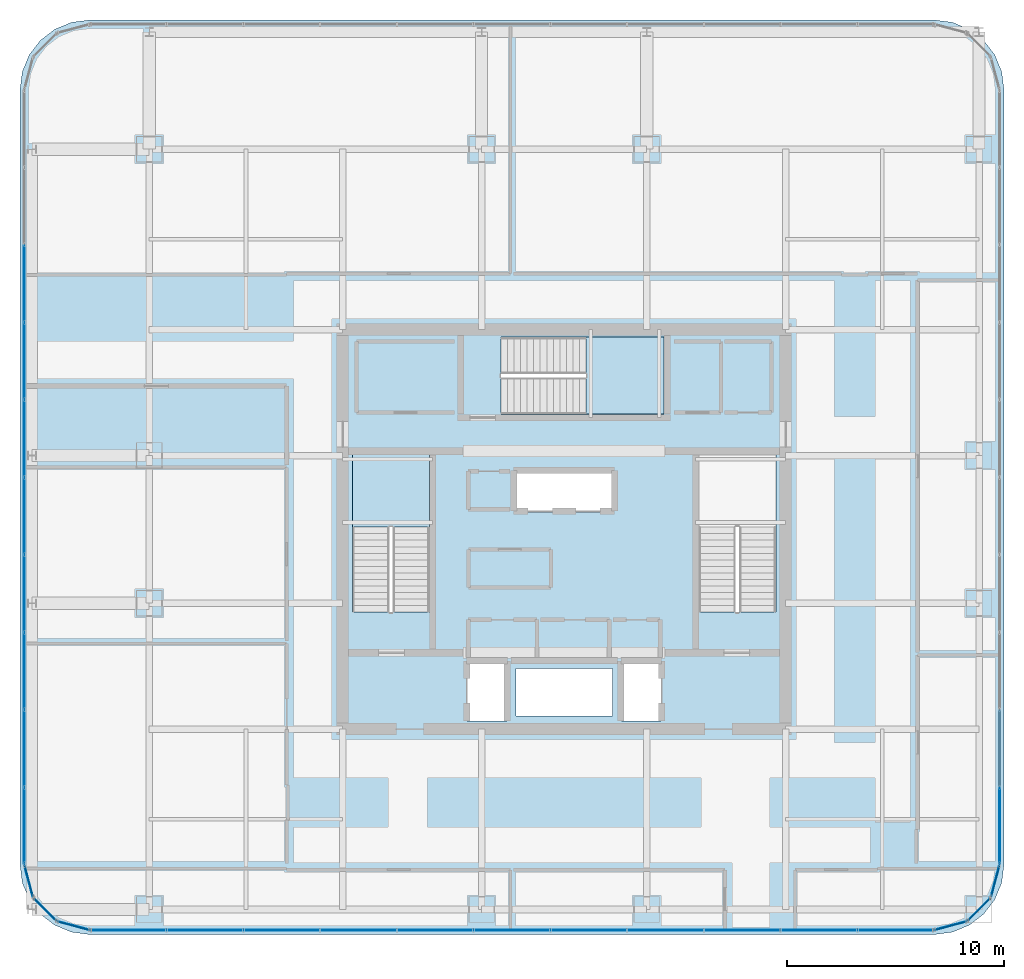
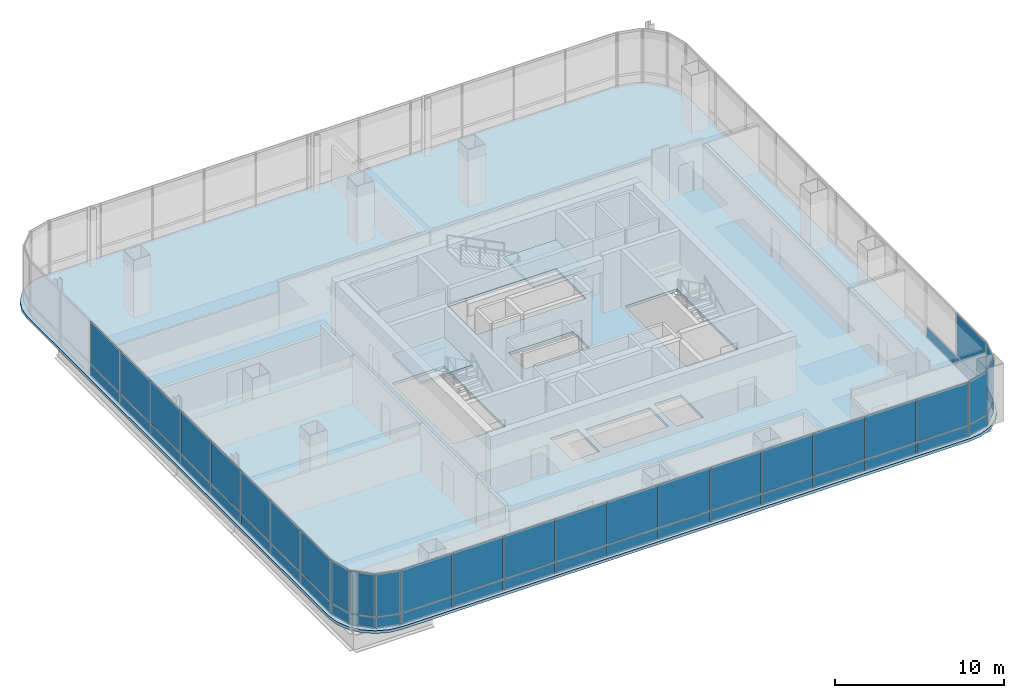
# One storey, part 32 of 41: 53 plates, 3 slabs, 11 elements without a shape of their own.
"""IFC4 building model written with IfcOpenShell, lengths in metres."""

from ifc_helpers import new_model, si_unit, direction, frame, origin, origin_2d, place, context, subcontext, project, spatial, polyline, rectangle, outline, extrude, material, layer, layer_set, type_object, element, aggregate, save


model = new_model("IFC4")

# Units and contexts
model_context = context("Model", 3, precision=1e-05, world=origin(), true_north=direction((0.0, 1.0)))
body_context = subcontext(model_context, "Body", "Model", "MODEL_VIEW")
ifc_project = project(units=[si_unit("LENGTHUNIT", "METRE"), si_unit("AREAUNIT", "SQUARE_METRE"), si_unit("VOLUMEUNIT", "CUBIC_METRE"), si_unit("PLANEANGLEUNIT", "RADIAN"), si_unit("MASSUNIT", "GRAM", prefix="KILO")], contexts=[model_context])

# Site, building, storey
site_placement = place(None, origin())
site = spatial("IfcSite", under=ifc_project, at=site_placement, CompositionType="ELEMENT")
building_placement = place(site_placement, origin())
building = spatial("IfcBuilding", under=site, at=building_placement, Name="Punatoya Terracotta Tower", CompositionType="ELEMENT")
storey_placement = place(building_placement, frame((0.0, 0.0, 309.0)))
storey = spatial("IfcBuildingStorey", under=building, at=storey_placement, Name="L73", CompositionType="ELEMENT", Elevation=309.0)

# Curtain wall, plates
ifc_material_1 = material(Name="Aluminium 6063-T6 + Double Low-E Glass", Category="aluminium")
curtain_wall_type = type_object("IfcCurtainWallType", Name="CW-M3", PredefinedType="NOTDEFINED", material=ifc_material_1)
curtain_wall_1_placement = place(storey_placement, origin())
curtain_wall_1 = element("IfcCurtainWall", 1, at=curtain_wall_1_placement, inside=storey, type_object=curtain_wall_type, Name="L73 Curtain Wall CW-L73-S01-1", PredefinedType="NOTDEFINED")
ifc_material_2 = material(Name="Double Low-E Acoustic Vision Glass", Category="glass")
ifc_layer_1 = layer(ifc_material_2, 0.031982421875)
ifc_layer_set_1 = layer_set([ifc_layer_1], Name="Double Low-E Acoustic Vision Glass")
plate_type_1 = type_object("IfcPlateType", Name="PLT-GLZ-32", PredefinedType="CURTAIN_PANEL", material=ifc_layer_set_1)
plate_1_placement = place(storey_placement, frame((-20.06982421875, -18.449951171875, 0.89013671875), z_axis=(0.0, 0.0, 1.0), x_axis=(1.0, 0.0, 0.0)))
plate_1 = element("IfcPlate", 2, at=plate_1_placement, type_object=plate_type_1, Name="CW-L73-S01-1 Vision Glass Panel 1", PredefinedType="CURTAIN_PANEL", context=body_context, shape_type="SweptSolid", body=[
    extrude(rectangle(XDim=3.448974609375, YDim=0.031982421875, at=origin_2d()), origin(), (0.0, 0.0, 1.0), 3.070068359375),
])
plate_2_placement = place(storey_placement, frame((-16.535888671875, -18.449951171875, 0.89013671875), z_axis=(0.0, 0.0, 1.0), x_axis=(1.0, 0.0, 0.0)))
plate_2 = element("IfcPlate", 3, at=plate_2_placement, type_object=plate_type_1, Name="CW-L73-S01-1 Vision Glass Panel 2", PredefinedType="CURTAIN_PANEL", context=body_context, shape_type="SweptSolid", body=[
    extrude(rectangle(XDim=3.448974609375, YDim=0.031982421875, at=origin_2d()), origin(), (0.0, 0.0, 1.0), 3.070068359375),
])
plate_3_placement = place(storey_placement, frame((-13.001953125, -18.449951171875, 0.89013671875), z_axis=(0.0, 0.0, 1.0), x_axis=(1.0, 0.0, 0.0)))
plate_3 = element("IfcPlate", 4, at=plate_3_placement, type_object=plate_type_1, Name="CW-L73-S01-1 Vision Glass Panel 3", PredefinedType="CURTAIN_PANEL", context=body_context, shape_type="SweptSolid", body=[
    extrude(rectangle(XDim=3.448974609375, YDim=0.031982421875, at=origin_2d()), origin(), (0.0, 0.0, 1.0), 3.070068359375),
])
plate_4_placement = place(storey_placement, frame((-9.468017578125, -18.449951171875, 0.89013671875), z_axis=(0.0, 0.0, 1.0), x_axis=(1.0, 0.0, 0.0)))
plate_4 = element("IfcPlate", 5, at=plate_4_placement, type_object=plate_type_1, Name="CW-L73-S01-1 Vision Glass Panel 4", PredefinedType="CURTAIN_PANEL", context=body_context, shape_type="SweptSolid", body=[
    extrude(rectangle(XDim=3.448974609375, YDim=0.031982421875, at=origin_2d()), origin(), (0.0, 0.0, 1.0), 3.070068359375),
])
plate_5_placement = place(storey_placement, frame((-5.93408203125, -18.449951171875, 0.89013671875), z_axis=(0.0, 0.0, 1.0), x_axis=(1.0, 0.0, 0.0)))
plate_5 = element("IfcPlate", 6, at=plate_5_placement, type_object=plate_type_1, Name="CW-L73-S01-1 Vision Glass Panel 5", PredefinedType="CURTAIN_PANEL", context=body_context, shape_type="SweptSolid", body=[
    extrude(rectangle(XDim=3.448974609375, YDim=0.031982421875, at=origin_2d()), origin(), (0.0, 0.0, 1.0), 3.070068359375),
])
plate_6_placement = place(storey_placement, frame((-2.39990234375, -18.449951171875, 0.89013671875), z_axis=(0.0, 0.0, 1.0), x_axis=(1.0, 0.0, 0.0)))
plate_6 = element("IfcPlate", 7, at=plate_6_placement, type_object=plate_type_1, Name="CW-L73-S01-1 Vision Glass Panel 6", PredefinedType="CURTAIN_PANEL", context=body_context, shape_type="SweptSolid", body=[
    extrude(rectangle(XDim=3.448974609375, YDim=0.031982421875, at=origin_2d()), origin(), (0.0, 0.0, 1.0), 3.070068359375),
])
plate_7_placement = place(storey_placement, frame((1.134033203125, -18.449951171875, 0.89013671875), z_axis=(0.0, 0.0, 1.0), x_axis=(1.0, 0.0, 0.0)))
plate_7 = element("IfcPlate", 8, at=plate_7_placement, type_object=plate_type_1, Name="CW-L73-S01-1 Vision Glass Panel 7", PredefinedType="CURTAIN_PANEL", context=body_context, shape_type="SweptSolid", body=[
    extrude(rectangle(XDim=3.448974609375, YDim=0.031982421875, at=origin_2d()), origin(), (0.0, 0.0, 1.0), 3.070068359375),
])
plate_8_placement = place(storey_placement, frame((4.66796875, -18.449951171875, 0.89013671875), z_axis=(0.0, 0.0, 1.0), x_axis=(1.0, 0.0, 0.0)))
plate_8 = element("IfcPlate", 9, at=plate_8_placement, type_object=plate_type_1, Name="CW-L73-S01-1 Vision Glass Panel 8", PredefinedType="CURTAIN_PANEL", context=body_context, shape_type="SweptSolid", body=[
    extrude(rectangle(XDim=3.448974609375, YDim=0.031982421875, at=origin_2d()), origin(), (0.0, 0.0, 1.0), 3.070068359375),
])
plate_9_placement = place(storey_placement, frame((8.201904296875, -18.449951171875, 0.89013671875), z_axis=(0.0, 0.0, 1.0), x_axis=(1.0, 0.0, 0.0)))
plate_9 = element("IfcPlate", 10, at=plate_9_placement, type_object=plate_type_1, Name="CW-L73-S01-1 Vision Glass Panel 9", PredefinedType="CURTAIN_PANEL", context=body_context, shape_type="SweptSolid", body=[
    extrude(rectangle(XDim=3.448974609375, YDim=0.031982421875, at=origin_2d()), origin(), (0.0, 0.0, 1.0), 3.070068359375),
])
plate_10_placement = place(storey_placement, frame((11.73583984375, -18.449951171875, 0.89013671875), z_axis=(0.0, 0.0, 1.0), x_axis=(1.0, 0.0, 0.0)))
plate_10 = element("IfcPlate", 11, at=plate_10_placement, type_object=plate_type_1, Name="CW-L73-S01-1 Vision Glass Panel 10", PredefinedType="CURTAIN_PANEL", context=body_context, shape_type="SweptSolid", body=[
    extrude(rectangle(XDim=3.448974609375, YDim=0.031982421875, at=origin_2d()), origin(), (0.0, 0.0, 1.0), 3.070068359375),
])
plate_11_placement = place(storey_placement, frame((15.27001953125, -18.449951171875, 0.89013671875), z_axis=(0.0, 0.0, 1.0), x_axis=(1.0, 0.0, 0.0)))
plate_11 = element("IfcPlate", 12, at=plate_11_placement, type_object=plate_type_1, Name="CW-L73-S01-1 Vision Glass Panel 11", PredefinedType="CURTAIN_PANEL", context=body_context, shape_type="SweptSolid", body=[
    extrude(rectangle(XDim=3.448974609375, YDim=0.031982421875, at=origin_2d()), origin(), (0.0, 0.0, 1.0), 3.070068359375),
])

# Curtain wall, plate
curtain_wall_2_placement = place(storey_placement, origin())
curtain_wall_2 = element("IfcCurtainWall", 13, at=curtain_wall_2_placement, inside=storey, type_object=curtain_wall_type, Name="L73 Curtain Wall CW-L73-CRN02", PredefinedType="NOTDEFINED")
plate_12_placement = place(storey_placement, frame((17.79296875, -18.248291015625, 0.89013671875), z_axis=(0.0, 0.0, 1.0), x_axis=(0.966213877436, 0.257741620719, 0.0)))
plate_12 = element("IfcPlate", 14, at=plate_12_placement, type_object=plate_type_1, Name="CW-L73-CRN02 Vision Glass Panel 1", PredefinedType="CURTAIN_PANEL", context=body_context, shape_type="SweptSolid", body=[
    extrude(rectangle(XDim=1.47998046875, YDim=0.031982421875, at=origin_2d()), origin(), (0.0, 0.0, 1.0), 3.070068359375),
])

curtain_wall_3_placement = place(storey_placement, origin())
curtain_wall_3 = element("IfcCurtainWall", 15, at=curtain_wall_3_placement, inside=storey, type_object=curtain_wall_type, Name="L73 Curtain Wall CW-L73-CRN03", PredefinedType="NOTDEFINED")
plate_13_placement = place(storey_placement, frame((19.097900390625, -17.497802734375, 0.89013671875), z_axis=(0.0, 0.0, 1.0), x_axis=(0.707106781187, 0.707106781187, 0.0)))
plate_13 = element("IfcPlate", 16, at=plate_13_placement, type_object=plate_type_1, Name="CW-L73-CRN03 Vision Glass Panel 1", PredefinedType="CURTAIN_PANEL", context=body_context, shape_type="SweptSolid", body=[
    extrude(rectangle(XDim=1.467041015625, YDim=0.031982421875, at=origin_2d()), origin(), (0.0, 0.0, 1.0), 3.070068359375),
])

curtain_wall_4_placement = place(storey_placement, origin())
curtain_wall_4 = element("IfcCurtainWall", 17, at=curtain_wall_4_placement, inside=storey, type_object=curtain_wall_type, Name="L73 Curtain Wall CW-L73-CRN04", PredefinedType="NOTDEFINED")
plate_14_placement = place(storey_placement, frame((19.848388671875, -16.193115234375, 0.89013671875), z_axis=(0.0, 0.0, 1.0), x_axis=(0.257741620719, 0.966213877436, 0.0)))
plate_14 = element("IfcPlate", 18, at=plate_14_placement, type_object=plate_type_1, Name="CW-L73-CRN04 Vision Glass Panel 1", PredefinedType="CURTAIN_PANEL", context=body_context, shape_type="SweptSolid", body=[
    extrude(rectangle(XDim=1.47998046875, YDim=0.031982421875, at=origin_2d()), origin(), (0.0, 0.0, 1.0), 3.070068359375),
])

curtain_wall_5_placement = place(storey_placement, origin())
curtain_wall_5 = element("IfcCurtainWall", 19, at=curtain_wall_5_placement, inside=storey, type_object=curtain_wall_type, Name="L73 Curtain Wall CW-L73-E05-1", PredefinedType="NOTDEFINED")
plate_15_placement = place(storey_placement, frame((20.050048828125, -13.6533203125, 0.89013671875), z_axis=(0.0, 0.0, 1.0), x_axis=(0.0, 1.0, 0.0)))
plate_15 = element("IfcPlate", 20, at=plate_15_placement, type_object=plate_type_1, Name="CW-L73-E05-1 Vision Glass Panel 1", PredefinedType="CURTAIN_PANEL", context=body_context, shape_type="SweptSolid", body=[
    extrude(rectangle(XDim=3.482421875, YDim=0.031982421875, at=origin_2d()), origin(), (0.0, 0.0, 1.0), 3.070068359375),
])

# Curtain wall, plates
curtain_wall_6_placement = place(storey_placement, origin())
curtain_wall_6 = element("IfcCurtainWall", 21, at=curtain_wall_6_placement, inside=storey, type_object=curtain_wall_type, Name="L73 Curtain Wall CW-L73-W13-1", PredefinedType="NOTDEFINED")
plate_16_placement = place(storey_placement, frame((-24.85009765625, 11.318359375, 0.89013671875), z_axis=(0.0, 0.0, 1.0), x_axis=(0.0, -1.0, 0.0)))
plate_16 = element("IfcPlate", 22, at=plate_16_placement, type_object=plate_type_1, Name="CW-L73-W13-1 Vision Glass Panel 3", PredefinedType="CURTAIN_PANEL", context=body_context, shape_type="SweptSolid", body=[
    extrude(rectangle(XDim=3.482421875, YDim=0.031982421875, at=origin_2d()), origin(), (0.0, 0.0, 1.0), 3.070068359375),
])
plate_17_placement = place(storey_placement, frame((-24.85009765625, 7.751220703125, 0.89013671875), z_axis=(0.0, 0.0, 1.0), x_axis=(0.0, -1.0, 0.0)))
plate_17 = element("IfcPlate", 23, at=plate_17_placement, type_object=plate_type_1, Name="CW-L73-W13-1 Vision Glass Panel 4", PredefinedType="CURTAIN_PANEL", context=body_context, shape_type="SweptSolid", body=[
    extrude(rectangle(XDim=3.482421875, YDim=0.031982421875, at=origin_2d()), origin(), (0.0, 0.0, 1.0), 3.070068359375),
])
plate_18_placement = place(storey_placement, frame((-24.85009765625, 4.18359375, 0.89013671875), z_axis=(0.0, 0.0, 1.0), x_axis=(0.0, -1.0, 0.0)))
plate_18 = element("IfcPlate", 24, at=plate_18_placement, type_object=plate_type_1, Name="CW-L73-W13-1 Vision Glass Panel 5", PredefinedType="CURTAIN_PANEL", context=body_context, shape_type="SweptSolid", body=[
    extrude(rectangle(XDim=3.482421875, YDim=0.031982421875, at=origin_2d()), origin(), (0.0, 0.0, 1.0), 3.070068359375),
])
plate_19_placement = place(storey_placement, frame((-24.85009765625, 0.6162109375, 0.89013671875), z_axis=(0.0, 0.0, 1.0), x_axis=(0.0, -1.0, 0.0)))
plate_19 = element("IfcPlate", 25, at=plate_19_placement, type_object=plate_type_1, Name="CW-L73-W13-1 Vision Glass Panel 6", PredefinedType="CURTAIN_PANEL", context=body_context, shape_type="SweptSolid", body=[
    extrude(rectangle(XDim=3.482421875, YDim=0.031982421875, at=origin_2d()), origin(), (0.0, 0.0, 1.0), 3.070068359375),
])
plate_20_placement = place(storey_placement, frame((-24.85009765625, -2.951171875, 0.89013671875), z_axis=(0.0, 0.0, 1.0), x_axis=(0.0, -1.0, 0.0)))
plate_20 = element("IfcPlate", 26, at=plate_20_placement, type_object=plate_type_1, Name="CW-L73-W13-1 Vision Glass Panel 7", PredefinedType="CURTAIN_PANEL", context=body_context, shape_type="SweptSolid", body=[
    extrude(rectangle(XDim=3.482421875, YDim=0.031982421875, at=origin_2d()), origin(), (0.0, 0.0, 1.0), 3.070068359375),
])
plate_21_placement = place(storey_placement, frame((-24.85009765625, -6.518310546875, 0.89013671875), z_axis=(0.0, 0.0, 1.0), x_axis=(0.0, -1.0, 0.0)))
plate_21 = element("IfcPlate", 27, at=plate_21_placement, type_object=plate_type_1, Name="CW-L73-W13-1 Vision Glass Panel 8", PredefinedType="CURTAIN_PANEL", context=body_context, shape_type="SweptSolid", body=[
    extrude(rectangle(XDim=3.482421875, YDim=0.031982421875, at=origin_2d()), origin(), (0.0, 0.0, 1.0), 3.070068359375),
])
plate_22_placement = place(storey_placement, frame((-24.85009765625, -10.085693359375, 0.89013671875), z_axis=(0.0, 0.0, 1.0), x_axis=(0.0, -1.0, 0.0)))
plate_22 = element("IfcPlate", 28, at=plate_22_placement, type_object=plate_type_1, Name="CW-L73-W13-1 Vision Glass Panel 9", PredefinedType="CURTAIN_PANEL", context=body_context, shape_type="SweptSolid", body=[
    extrude(rectangle(XDim=3.482421875, YDim=0.031982421875, at=origin_2d()), origin(), (0.0, 0.0, 1.0), 3.070068359375),
])
plate_23_placement = place(storey_placement, frame((-24.85009765625, -13.6533203125, 0.89013671875), z_axis=(0.0, 0.0, 1.0), x_axis=(0.0, -1.0, 0.0)))
plate_23 = element("IfcPlate", 29, at=plate_23_placement, type_object=plate_type_1, Name="CW-L73-W13-1 Vision Glass Panel 10", PredefinedType="CURTAIN_PANEL", context=body_context, shape_type="SweptSolid", body=[
    extrude(rectangle(XDim=3.482421875, YDim=0.031982421875, at=origin_2d()), origin(), (0.0, 0.0, 1.0), 3.070068359375),
])

# Curtain wall, plate
curtain_wall_7_placement = place(storey_placement, origin())
curtain_wall_7 = element("IfcCurtainWall", 30, at=curtain_wall_7_placement, inside=storey, type_object=curtain_wall_type, Name="L73 Curtain Wall CW-L73-CRN14", PredefinedType="NOTDEFINED")
plate_24_placement = place(storey_placement, frame((-24.648193359375, -16.193115234375, 0.89013671875), z_axis=(0.0, 0.0, 1.0), x_axis=(0.257741620719, -0.966213877436, 0.0)))
plate_24 = element("IfcPlate", 31, at=plate_24_placement, type_object=plate_type_1, Name="CW-L73-CRN14 Vision Glass Panel 1", PredefinedType="CURTAIN_PANEL", context=body_context, shape_type="SweptSolid", body=[
    extrude(rectangle(XDim=1.47998046875, YDim=0.031982421875, at=origin_2d()), origin(), (0.0, 0.0, 1.0), 3.070068359375),
])

curtain_wall_8_placement = place(storey_placement, origin())
curtain_wall_8 = element("IfcCurtainWall", 32, at=curtain_wall_8_placement, inside=storey, type_object=curtain_wall_type, Name="L73 Curtain Wall CW-L73-CRN15", PredefinedType="NOTDEFINED")
plate_25_placement = place(storey_placement, frame((-23.89794921875, -17.497802734375, 0.89013671875), z_axis=(0.0, 0.0, 1.0), x_axis=(0.707106781187, -0.707106781187, 0.0)))
plate_25 = element("IfcPlate", 33, at=plate_25_placement, type_object=plate_type_1, Name="CW-L73-CRN15 Vision Glass Panel 1", PredefinedType="CURTAIN_PANEL", context=body_context, shape_type="SweptSolid", body=[
    extrude(rectangle(XDim=1.467041015625, YDim=0.031982421875, at=origin_2d()), origin(), (0.0, 0.0, 1.0), 3.070068359375),
])

curtain_wall_9_placement = place(storey_placement, origin())
curtain_wall_9 = element("IfcCurtainWall", 34, at=curtain_wall_9_placement, inside=storey, type_object=curtain_wall_type, Name="L73 Curtain Wall CW-L73-CRN16", PredefinedType="NOTDEFINED")
plate_26_placement = place(storey_placement, frame((-22.593017578125, -18.248291015625, 0.89013671875), z_axis=(0.0, 0.0, 1.0), x_axis=(0.966213877436, -0.257741620719, 0.0)))
plate_26 = element("IfcPlate", 35, at=plate_26_placement, type_object=plate_type_1, Name="CW-L73-CRN16 Vision Glass Panel 1", PredefinedType="CURTAIN_PANEL", context=body_context, shape_type="SweptSolid", body=[
    extrude(rectangle(XDim=1.47998046875, YDim=0.031982421875, at=origin_2d()), origin(), (0.0, 0.0, 1.0), 3.070068359375),
])

# Plate
ifc_material_3 = material(Name="Insulated Terracotta-Backed Spandrel Panel", Category="masonry")
ifc_layer_2 = layer(ifc_material_3, 0.044921875)
ifc_layer_set_2 = layer_set([ifc_layer_2], Name="Insulated Terracotta-Backed Spandrel Panel")
plate_type_2 = type_object("IfcPlateType", Name="PLT-SPN-45", PredefinedType="CURTAIN_PANEL", material=ifc_layer_set_2)
plate_27_placement = place(storey_placement, frame((-20.06982421875, -18.449951171875, 0.0400390625), z_axis=(0.0, 0.0, 1.0), x_axis=(1.0, 0.0, 0.0)))
plate_27 = element("IfcPlate", 36, at=plate_27_placement, type_object=plate_type_2, Name="CW-L73-S01-1 Terracotta Spandrel Panel 1", PredefinedType="CURTAIN_PANEL", context=body_context, shape_type="SweptSolid", body=[
    extrude(rectangle(XDim=3.448974609375, YDim=0.044921875, at=origin_2d()), origin(), (0.0, 0.0, 1.0), 0.77490234375),
])

plate_28_placement = place(storey_placement, frame((-16.535888671875, -18.449951171875, 0.0400390625), z_axis=(0.0, 0.0, 1.0), x_axis=(1.0, 0.0, 0.0)))
plate_28 = element("IfcPlate", 37, at=plate_28_placement, type_object=plate_type_2, Name="CW-L73-S01-1 Terracotta Spandrel Panel 2", PredefinedType="CURTAIN_PANEL", context=body_context, shape_type="SweptSolid", body=[
    extrude(rectangle(XDim=3.448974609375, YDim=0.044921875, at=origin_2d()), origin(), (0.0, 0.0, 1.0), 0.77490234375),
])

plate_29_placement = place(storey_placement, frame((-13.001953125, -18.449951171875, 0.0400390625), z_axis=(0.0, 0.0, 1.0), x_axis=(1.0, 0.0, 0.0)))
plate_29 = element("IfcPlate", 38, at=plate_29_placement, type_object=plate_type_2, Name="CW-L73-S01-1 Terracotta Spandrel Panel 3", PredefinedType="CURTAIN_PANEL", context=body_context, shape_type="SweptSolid", body=[
    extrude(rectangle(XDim=3.448974609375, YDim=0.044921875, at=origin_2d()), origin(), (0.0, 0.0, 1.0), 0.77490234375),
])

plate_30_placement = place(storey_placement, frame((-9.468017578125, -18.449951171875, 0.0400390625), z_axis=(0.0, 0.0, 1.0), x_axis=(1.0, 0.0, 0.0)))
plate_30 = element("IfcPlate", 39, at=plate_30_placement, type_object=plate_type_2, Name="CW-L73-S01-1 Terracotta Spandrel Panel 4", PredefinedType="CURTAIN_PANEL", context=body_context, shape_type="SweptSolid", body=[
    extrude(rectangle(XDim=3.448974609375, YDim=0.044921875, at=origin_2d()), origin(), (0.0, 0.0, 1.0), 0.77490234375),
])

plate_31_placement = place(storey_placement, frame((-5.93408203125, -18.449951171875, 0.0400390625), z_axis=(0.0, 0.0, 1.0), x_axis=(1.0, 0.0, 0.0)))
plate_31 = element("IfcPlate", 40, at=plate_31_placement, type_object=plate_type_2, Name="CW-L73-S01-1 Terracotta Spandrel Panel 5", PredefinedType="CURTAIN_PANEL", context=body_context, shape_type="SweptSolid", body=[
    extrude(rectangle(XDim=3.448974609375, YDim=0.044921875, at=origin_2d()), origin(), (0.0, 0.0, 1.0), 0.77490234375),
])

plate_32_placement = place(storey_placement, frame((-2.39990234375, -18.449951171875, 0.0400390625), z_axis=(0.0, 0.0, 1.0), x_axis=(1.0, 0.0, 0.0)))
plate_32 = element("IfcPlate", 41, at=plate_32_placement, type_object=plate_type_2, Name="CW-L73-S01-1 Terracotta Spandrel Panel 6", PredefinedType="CURTAIN_PANEL", context=body_context, shape_type="SweptSolid", body=[
    extrude(rectangle(XDim=3.448974609375, YDim=0.044921875, at=origin_2d()), origin(), (0.0, 0.0, 1.0), 0.77490234375),
])

plate_33_placement = place(storey_placement, frame((1.134033203125, -18.449951171875, 0.0400390625), z_axis=(0.0, 0.0, 1.0), x_axis=(1.0, 0.0, 0.0)))
plate_33 = element("IfcPlate", 42, at=plate_33_placement, type_object=plate_type_2, Name="CW-L73-S01-1 Terracotta Spandrel Panel 7", PredefinedType="CURTAIN_PANEL", context=body_context, shape_type="SweptSolid", body=[
    extrude(rectangle(XDim=3.448974609375, YDim=0.044921875, at=origin_2d()), origin(), (0.0, 0.0, 1.0), 0.77490234375),
])

plate_34_placement = place(storey_placement, frame((4.66796875, -18.449951171875, 0.0400390625), z_axis=(0.0, 0.0, 1.0), x_axis=(1.0, 0.0, 0.0)))
plate_34 = element("IfcPlate", 43, at=plate_34_placement, type_object=plate_type_2, Name="CW-L73-S01-1 Terracotta Spandrel Panel 8", PredefinedType="CURTAIN_PANEL", context=body_context, shape_type="SweptSolid", body=[
    extrude(rectangle(XDim=3.448974609375, YDim=0.044921875, at=origin_2d()), origin(), (0.0, 0.0, 1.0), 0.77490234375),
])

plate_35_placement = place(storey_placement, frame((8.201904296875, -18.449951171875, 0.0400390625), z_axis=(0.0, 0.0, 1.0), x_axis=(1.0, 0.0, 0.0)))
plate_35 = element("IfcPlate", 44, at=plate_35_placement, type_object=plate_type_2, Name="CW-L73-S01-1 Terracotta Spandrel Panel 9", PredefinedType="CURTAIN_PANEL", context=body_context, shape_type="SweptSolid", body=[
    extrude(rectangle(XDim=3.448974609375, YDim=0.044921875, at=origin_2d()), origin(), (0.0, 0.0, 1.0), 0.77490234375),
])

plate_36_placement = place(storey_placement, frame((11.73583984375, -18.449951171875, 0.0400390625), z_axis=(0.0, 0.0, 1.0), x_axis=(1.0, 0.0, 0.0)))
plate_36 = element("IfcPlate", 45, at=plate_36_placement, type_object=plate_type_2, Name="CW-L73-S01-1 Terracotta Spandrel Panel 10", PredefinedType="CURTAIN_PANEL", context=body_context, shape_type="SweptSolid", body=[
    extrude(rectangle(XDim=3.448974609375, YDim=0.044921875, at=origin_2d()), origin(), (0.0, 0.0, 1.0), 0.77490234375),
])

plate_37_placement = place(storey_placement, frame((15.27001953125, -18.449951171875, 0.0400390625), z_axis=(0.0, 0.0, 1.0), x_axis=(1.0, 0.0, 0.0)))
plate_37 = element("IfcPlate", 46, at=plate_37_placement, type_object=plate_type_2, Name="CW-L73-S01-1 Terracotta Spandrel Panel 11", PredefinedType="CURTAIN_PANEL", context=body_context, shape_type="SweptSolid", body=[
    extrude(rectangle(XDim=3.448974609375, YDim=0.044921875, at=origin_2d()), origin(), (0.0, 0.0, 1.0), 0.77490234375),
])

aggregate(curtain_wall_1, [plate_27, plate_1, plate_28, plate_2, plate_29, plate_3, plate_30, plate_4, plate_31, plate_5, plate_32, plate_6, plate_33, plate_7, plate_34, plate_8, plate_35, plate_9, plate_36, plate_10, plate_37, plate_11])

plate_38_placement = place(storey_placement, frame((17.79296875, -18.248291015625, 0.0400390625), z_axis=(0.0, 0.0, 1.0), x_axis=(0.966213877436, 0.257741620719, 0.0)))
plate_38 = element("IfcPlate", 47, at=plate_38_placement, type_object=plate_type_2, Name="CW-L73-CRN02 Terracotta Spandrel Panel 1", PredefinedType="CURTAIN_PANEL", context=body_context, shape_type="SweptSolid", body=[
    extrude(rectangle(XDim=1.47998046875, YDim=0.044921875, at=origin_2d()), origin(), (0.0, 0.0, 1.0), 0.77490234375),
])

aggregate(curtain_wall_2, [plate_38, plate_12])

plate_39_placement = place(storey_placement, frame((19.097900390625, -17.497802734375, 0.0400390625), z_axis=(0.0, 0.0, 1.0), x_axis=(0.707106781187, 0.707106781187, 0.0)))
plate_39 = element("IfcPlate", 48, at=plate_39_placement, type_object=plate_type_2, Name="CW-L73-CRN03 Terracotta Spandrel Panel 1", PredefinedType="CURTAIN_PANEL", context=body_context, shape_type="SweptSolid", body=[
    extrude(rectangle(XDim=1.467041015625, YDim=0.044921875, at=origin_2d()), origin(), (0.0, 0.0, 1.0), 0.77490234375),
])

aggregate(curtain_wall_3, [plate_39, plate_13])

plate_40_placement = place(storey_placement, frame((19.848388671875, -16.193115234375, 0.0400390625), z_axis=(0.0, 0.0, 1.0), x_axis=(0.257741620719, 0.966213877436, 0.0)))
plate_40 = element("IfcPlate", 49, at=plate_40_placement, type_object=plate_type_2, Name="CW-L73-CRN04 Terracotta Spandrel Panel 1", PredefinedType="CURTAIN_PANEL", context=body_context, shape_type="SweptSolid", body=[
    extrude(rectangle(XDim=1.47998046875, YDim=0.044921875, at=origin_2d()), origin(), (0.0, 0.0, 1.0), 0.77490234375),
])

aggregate(curtain_wall_4, [plate_40, plate_14])

plate_41_placement = place(storey_placement, frame((20.050048828125, -13.6533203125, 0.0400390625), z_axis=(0.0, 0.0, 1.0), x_axis=(0.0, 1.0, 0.0)))
plate_41 = element("IfcPlate", 50, at=plate_41_placement, type_object=plate_type_2, Name="CW-L73-E05-1 Terracotta Spandrel Panel 1", PredefinedType="CURTAIN_PANEL", context=body_context, shape_type="SweptSolid", body=[
    extrude(rectangle(XDim=3.482421875, YDim=0.044921875, at=origin_2d()), origin(), (0.0, 0.0, 1.0), 0.77490234375),
])

plate_42_placement = place(storey_placement, frame((20.050048828125, -10.085693359375, 0.0400390625), z_axis=(0.0, 0.0, 1.0), x_axis=(0.0, 1.0, 0.0)))
plate_42 = element("IfcPlate", 51, at=plate_42_placement, type_object=plate_type_2, Name="CW-L73-E05-1 Terracotta Spandrel Panel 2", PredefinedType="CURTAIN_PANEL", context=body_context, shape_type="SweptSolid", body=[
    extrude(rectangle(XDim=3.482421875, YDim=0.044921875, at=origin_2d()), origin(), (0.0, 0.0, 1.0), 0.77490234375),
])

aggregate(curtain_wall_5, [plate_41, plate_15, plate_42])

plate_43_placement = place(storey_placement, frame((-24.85009765625, 11.318359375, 0.0400390625), z_axis=(0.0, 0.0, 1.0), x_axis=(0.0, -1.0, 0.0)))
plate_43 = element("IfcPlate", 52, at=plate_43_placement, type_object=plate_type_2, Name="CW-L73-W13-1 Terracotta Spandrel Panel 3", PredefinedType="CURTAIN_PANEL", context=body_context, shape_type="SweptSolid", body=[
    extrude(rectangle(XDim=3.482421875, YDim=0.044921875, at=origin_2d()), origin(), (0.0, 0.0, 1.0), 0.77490234375),
])

plate_44_placement = place(storey_placement, frame((-24.85009765625, 7.751220703125, 0.0400390625), z_axis=(0.0, 0.0, 1.0), x_axis=(0.0, -1.0, 0.0)))
plate_44 = element("IfcPlate", 53, at=plate_44_placement, type_object=plate_type_2, Name="CW-L73-W13-1 Terracotta Spandrel Panel 4", PredefinedType="CURTAIN_PANEL", context=body_context, shape_type="SweptSolid", body=[
    extrude(rectangle(XDim=3.482421875, YDim=0.044921875, at=origin_2d()), origin(), (0.0, 0.0, 1.0), 0.77490234375),
])

plate_45_placement = place(storey_placement, frame((-24.85009765625, 4.18359375, 0.0400390625), z_axis=(0.0, 0.0, 1.0), x_axis=(0.0, -1.0, 0.0)))
plate_45 = element("IfcPlate", 54, at=plate_45_placement, type_object=plate_type_2, Name="CW-L73-W13-1 Terracotta Spandrel Panel 5", PredefinedType="CURTAIN_PANEL", context=body_context, shape_type="SweptSolid", body=[
    extrude(rectangle(XDim=3.482421875, YDim=0.044921875, at=origin_2d()), origin(), (0.0, 0.0, 1.0), 0.77490234375),
])

plate_46_placement = place(storey_placement, frame((-24.85009765625, 0.6162109375, 0.0400390625), z_axis=(0.0, 0.0, 1.0), x_axis=(0.0, -1.0, 0.0)))
plate_46 = element("IfcPlate", 55, at=plate_46_placement, type_object=plate_type_2, Name="CW-L73-W13-1 Terracotta Spandrel Panel 6", PredefinedType="CURTAIN_PANEL", context=body_context, shape_type="SweptSolid", body=[
    extrude(rectangle(XDim=3.482421875, YDim=0.044921875, at=origin_2d()), origin(), (0.0, 0.0, 1.0), 0.77490234375),
])

plate_47_placement = place(storey_placement, frame((-24.85009765625, -2.951171875, 0.0400390625), z_axis=(0.0, 0.0, 1.0), x_axis=(0.0, -1.0, 0.0)))
plate_47 = element("IfcPlate", 56, at=plate_47_placement, type_object=plate_type_2, Name="CW-L73-W13-1 Terracotta Spandrel Panel 7", PredefinedType="CURTAIN_PANEL", context=body_context, shape_type="SweptSolid", body=[
    extrude(rectangle(XDim=3.482421875, YDim=0.044921875, at=origin_2d()), origin(), (0.0, 0.0, 1.0), 0.77490234375),
])

plate_48_placement = place(storey_placement, frame((-24.85009765625, -6.518310546875, 0.0400390625), z_axis=(0.0, 0.0, 1.0), x_axis=(0.0, -1.0, 0.0)))
plate_48 = element("IfcPlate", 57, at=plate_48_placement, type_object=plate_type_2, Name="CW-L73-W13-1 Terracotta Spandrel Panel 8", PredefinedType="CURTAIN_PANEL", context=body_context, shape_type="SweptSolid", body=[
    extrude(rectangle(XDim=3.482421875, YDim=0.044921875, at=origin_2d()), origin(), (0.0, 0.0, 1.0), 0.77490234375),
])

plate_49_placement = place(storey_placement, frame((-24.85009765625, -10.085693359375, 0.0400390625), z_axis=(0.0, 0.0, 1.0), x_axis=(0.0, -1.0, 0.0)))
plate_49 = element("IfcPlate", 58, at=plate_49_placement, type_object=plate_type_2, Name="CW-L73-W13-1 Terracotta Spandrel Panel 9", PredefinedType="CURTAIN_PANEL", context=body_context, shape_type="SweptSolid", body=[
    extrude(rectangle(XDim=3.482421875, YDim=0.044921875, at=origin_2d()), origin(), (0.0, 0.0, 1.0), 0.77490234375),
])

plate_50_placement = place(storey_placement, frame((-24.85009765625, -13.6533203125, 0.0400390625), z_axis=(0.0, 0.0, 1.0), x_axis=(0.0, -1.0, 0.0)))
plate_50 = element("IfcPlate", 59, at=plate_50_placement, type_object=plate_type_2, Name="CW-L73-W13-1 Terracotta Spandrel Panel 10", PredefinedType="CURTAIN_PANEL", context=body_context, shape_type="SweptSolid", body=[
    extrude(rectangle(XDim=3.482421875, YDim=0.044921875, at=origin_2d()), origin(), (0.0, 0.0, 1.0), 0.77490234375),
])

aggregate(curtain_wall_6, [plate_43, plate_16, plate_44, plate_17, plate_45, plate_18, plate_46, plate_19, plate_47, plate_20, plate_48, plate_21, plate_49, plate_22, plate_50, plate_23])

plate_51_placement = place(storey_placement, frame((-24.648193359375, -16.193115234375, 0.0400390625), z_axis=(0.0, 0.0, 1.0), x_axis=(0.257741620719, -0.966213877436, 0.0)))
plate_51 = element("IfcPlate", 60, at=plate_51_placement, type_object=plate_type_2, Name="CW-L73-CRN14 Terracotta Spandrel Panel 1", PredefinedType="CURTAIN_PANEL", context=body_context, shape_type="SweptSolid", body=[
    extrude(rectangle(XDim=1.47998046875, YDim=0.044921875, at=origin_2d()), origin(), (0.0, 0.0, 1.0), 0.77490234375),
])

aggregate(curtain_wall_7, [plate_51, plate_24])

plate_52_placement = place(storey_placement, frame((-23.89794921875, -17.497802734375, 0.0400390625), z_axis=(0.0, 0.0, 1.0), x_axis=(0.707106781187, -0.707106781187, 0.0)))
plate_52 = element("IfcPlate", 61, at=plate_52_placement, type_object=plate_type_2, Name="CW-L73-CRN15 Terracotta Spandrel Panel 1", PredefinedType="CURTAIN_PANEL", context=body_context, shape_type="SweptSolid", body=[
    extrude(rectangle(XDim=1.467041015625, YDim=0.044921875, at=origin_2d()), origin(), (0.0, 0.0, 1.0), 0.77490234375),
])

aggregate(curtain_wall_8, [plate_52, plate_25])

plate_53_placement = place(storey_placement, frame((-22.593017578125, -18.248291015625, 0.0400390625), z_axis=(0.0, 0.0, 1.0), x_axis=(0.966213877436, -0.257741620719, 0.0)))
plate_53 = element("IfcPlate", 62, at=plate_53_placement, type_object=plate_type_2, Name="CW-L73-CRN16 Terracotta Spandrel Panel 1", PredefinedType="CURTAIN_PANEL", context=body_context, shape_type="SweptSolid", body=[
    extrude(rectangle(XDim=1.47998046875, YDim=0.044921875, at=origin_2d()), origin(), (0.0, 0.0, 1.0), 0.77490234375),
])

aggregate(curtain_wall_9, [plate_53, plate_26])

# Stair, slab
ifc_material_4 = material(Name="Concrete C40/50", Category="concrete")
stair_type_1 = type_object("IfcStairType", Name="STR-TER-1450", PredefinedType="HALF_TURN_STAIR", material=ifc_material_4)
stair_1_placement = place(storey_placement, origin())
stair_1 = element("IfcStair", 63, at=stair_1_placement, inside=storey, type_object=stair_type_1, Name="L73 Protected Core Exit Stair ST-3", PredefinedType="HALF_TURN_STAIR")
ifc_layer_3 = layer(ifc_material_4, 0.1650390625)
ifc_layer_set_3 = layer_set([ifc_layer_3], Name="Concrete C40/50")
slab_type_1 = type_object("IfcSlabType", Name="SLB-LND-165", PredefinedType="LANDING", material=ifc_layer_set_3)
slab_1_placement = place(storey_placement, frame((0.0, 0.0, 1.89990234375)))
slab_1 = element("IfcSlab", 64, at=slab_1_placement, type_object=slab_type_1, Name="ST-3 landing 1", PredefinedType="LANDING", context=body_context, shape_type="SweptSolid", body=[
    extrude(outline(polyline([(1.0, 5.300048828125), (4.60009765625, 5.300048828125), (4.60009765625, 8.85009765625), (1.0, 8.85009765625), (1.0, 5.300048828125)])), origin(), (0.0, 0.0, 1.0), 0.2001953125),
])
aggregate(stair_1, [slab_1])

stair_type_2 = type_object("IfcStairType", Name="STR-CORE-1550", PredefinedType="HALF_TURN_STAIR", material=ifc_material_4)
stair_2_placement = place(storey_placement, origin())
stair_2 = element("IfcStair", 65, at=stair_2_placement, inside=storey, type_object=stair_type_2, Name="L73 Protected Core Exit Stair ST-1", PredefinedType="HALF_TURN_STAIR")
ifc_layer_4 = layer(ifc_material_4, 0.179931640625)
ifc_layer_set_4 = layer_set([ifc_layer_4], Name="Concrete C40/50")
slab_type_2 = type_object("IfcSlabType", Name="SLB-LND-180", PredefinedType="LANDING", material=ifc_layer_set_4)
slab_2_placement = place(storey_placement, frame((0.0, 0.0, 1.89990234375)))
slab_2 = element("IfcSlab", 66, at=slab_2_placement, type_object=slab_type_2, Name="ST-1 landing 1", PredefinedType="LANDING", context=body_context, shape_type="SweptSolid", body=[
    extrude(outline(polyline([(-6.199951171875, 0.10009765625), (-6.199951171875, 3.449951171875), (-9.75, 3.449951171875), (-9.75, 0.10009765625), (-6.199951171875, 0.10009765625)])), origin(), (0.0, 0.0, 1.0), 0.2001953125),
])
aggregate(stair_2, [slab_2])

# Slab
ifc_layer_5 = layer(ifc_material_4, 0.199951171875)
ifc_layer_set_5 = layer_set([ifc_layer_5], Name="Concrete C40/50")
slab_type_3 = type_object("IfcSlabType", Name="SLB-OFF-200", PredefinedType="FLOOR", material=ifc_layer_set_5)
slab_3_placement = place(storey_placement, frame((0.0, 0.0, -0.199951171875)))
element("IfcSlab", 67, at=slab_3_placement, inside=storey, type_object=slab_type_3, Name="L73 Structural Floor Slab", PredefinedType="FLOOR", context=body_context, shape_type="SweptSolid", body=[
    extrude(outline(polyline([(-21.85009765625, -18.64990234375), (-22.67822265625, -18.541015625), (-23.449951171875, -18.22119140625), (-24.11279296875, -17.712646484375), (-24.621337890625, -17.050048828125), (-24.94091796875, -16.2783203125), (-25.050048828125, -15.449951171875), (-25.050048828125, 20.25), (-24.94091796875, 21.078125), (-24.621337890625, 21.85009765625), (-24.11279296875, 22.5126953125), (-23.449951171875, 23.021240234375), (-22.67822265625, 23.341064453125), (-21.85009765625, 23.449951171875), (17.050048828125, 23.449951171875), (17.878173828125, 23.341064453125), (18.64990234375, 23.021240234375), (19.312744140625, 22.5126953125), (19.8212890625, 21.85009765625), (20.14111328125, 21.078125), (20.25, 20.25), (20.25, -15.449951171875), (20.14111328125, -16.2783203125), (19.8212890625, -17.050048828125), (19.312744140625, -17.712646484375), (18.64990234375, -18.22119140625), (17.878173828125, -18.541015625), (17.050048828125, -18.64990234375), (-21.85009765625, -18.64990234375)]), holes=[polyline([(-2.6298828125, -6.179931640625), (-4.469970703125, -6.179931640625), (-4.469970703125, -8.820068359375), (-2.6298828125, -8.820068359375), (-2.6298828125, -6.179931640625)]), polyline([(-0.02001953125, -6.405029296875), (-2.219970703125, -6.405029296875), (-2.219970703125, -8.594970703125), (-0.02001953125, -8.594970703125), (0.02001953125, -8.594970703125), (2.219970703125, -8.594970703125), (2.219970703125, -6.405029296875), (0.02001953125, -6.405029296875), (-0.02001953125, -6.405029296875)]), polyline([(4.469970703125, -6.179931640625), (2.6298828125, -6.179931640625), (2.6298828125, -8.820068359375), (4.469970703125, -8.820068359375), (4.469970703125, -6.179931640625)]), polyline([(-9.75, 3.449951171875), (-9.75, -3.79931640625), (-6.199951171875, -3.79931640625), (-6.199951171875, 3.449951171875), (-9.75, 3.449951171875)]), polyline([(6.199951171875, 3.449951171875), (6.199951171875, -3.79931640625), (9.75, -3.79931640625), (9.75, 3.449951171875), (6.199951171875, 3.449951171875)]), polyline([(-2.219970703125, 2.719970703125), (-2.219970703125, 0.780029296875), (-0.02001953125, 0.780029296875), (0.02001953125, 0.780029296875), (2.219970703125, 0.780029296875), (2.219970703125, 2.719970703125), (0.02001953125, 2.719970703125), (-0.02001953125, 2.719970703125), (-2.219970703125, 2.719970703125)]), polyline([(4.60009765625, 5.300048828125), (4.60009765625, 8.85009765625), (-2.899169921875, 8.85009765625), (-2.899169921875, 5.300048828125), (4.60009765625, 5.300048828125)])]), origin(), (0.0, 0.0, 1.0), 0.199951171875),
])

save(model, "model.ifc")
